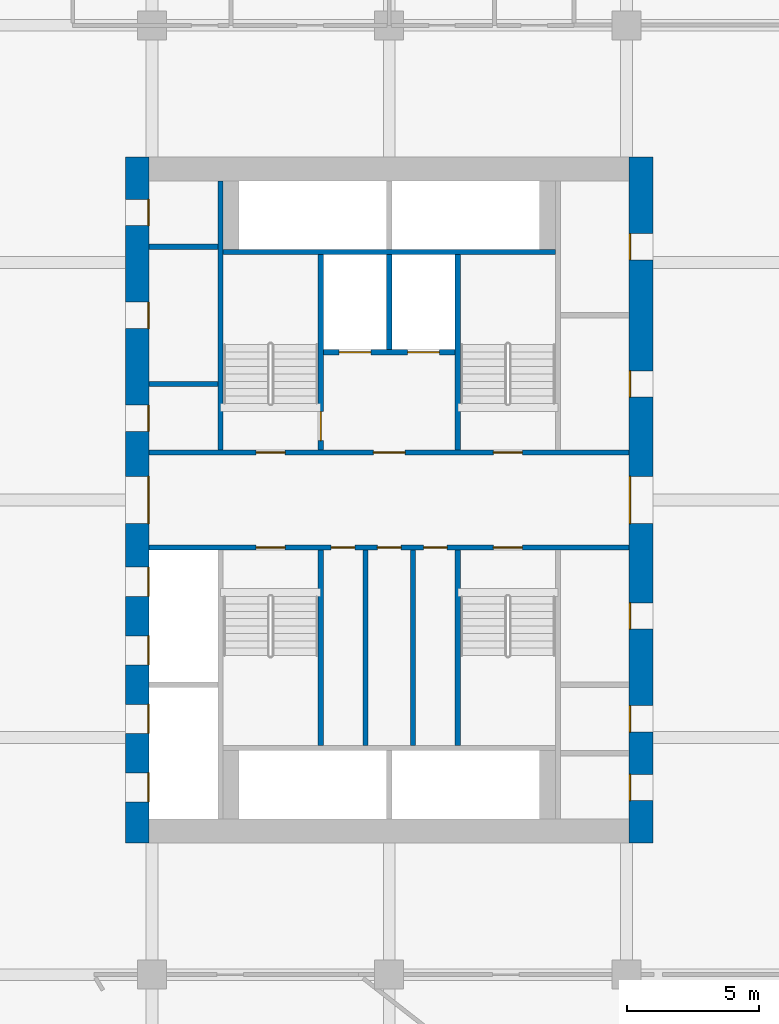
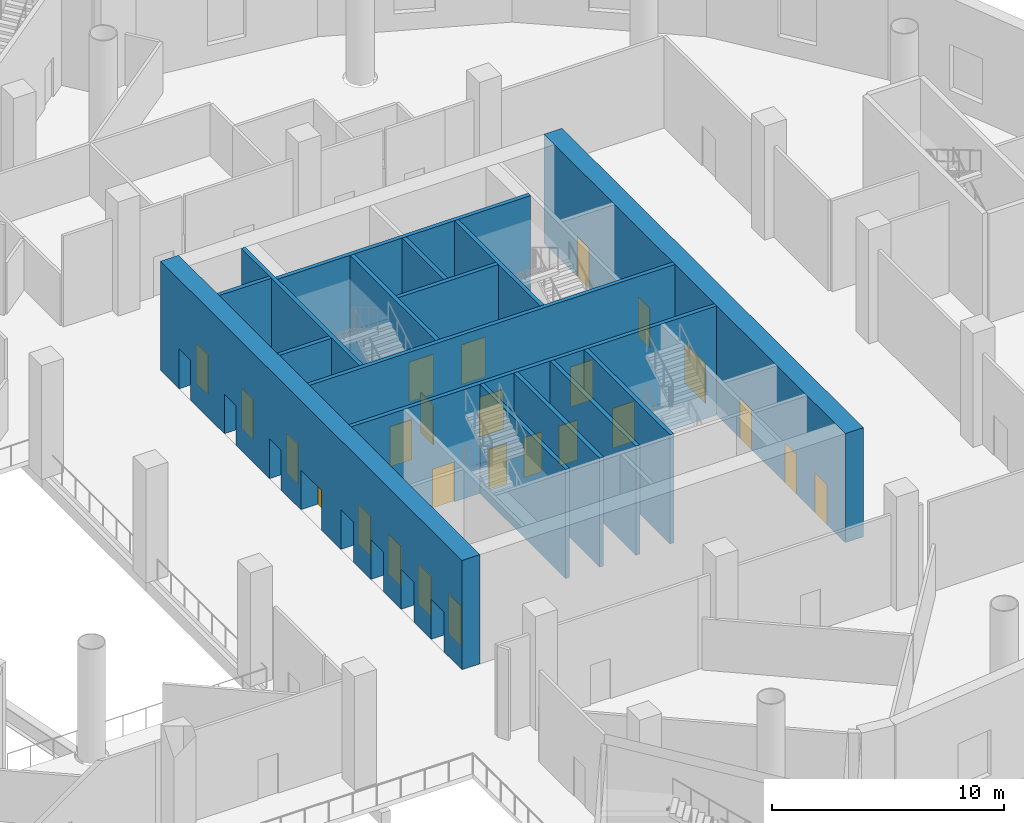
# One storey, part 6 of 24: 25 doors, 16 walls, 25 openings.
"""IFC4 building model written with IfcOpenShell, lengths in metres."""

from ifc_helpers import new_model, si_unit, direction, frame, frame_2d, origin, place, context, subcontext, project, spatial, rectangle, extrude, material, layer, layer_set, type_object, element, fill, save


model = new_model("IFC4")

# Units and contexts
model_context = context("Model", 3, precision=1e-05, world=origin(), true_north=direction((0.0, 1.0)))
body_context = subcontext(model_context, "Body", "Model", "MODEL_VIEW")
ifc_project = project(units=[si_unit("LENGTHUNIT", "METRE"), si_unit("AREAUNIT", "SQUARE_METRE"), si_unit("VOLUMEUNIT", "CUBIC_METRE"), si_unit("PLANEANGLEUNIT", "RADIAN"), si_unit("MASSUNIT", "GRAM", prefix="KILO")], contexts=[model_context])

# Site, building, storey
site_placement = place(None, origin())
site = spatial("IfcSite", under=ifc_project, at=site_placement, CompositionType="ELEMENT")
building_placement = place(site_placement, origin())
building = spatial("IfcBuilding", under=site, at=building_placement, Name="Tarsis Ring Headquarters", CompositionType="ELEMENT")
storey_placement = place(building_placement, frame((0.0, 0.0, 8.0)))
storey = spatial("IfcBuildingStorey", under=building, at=storey_placement, Name="L01", CompositionType="ELEMENT", Elevation=8.0)

# Walls
ifc_material_1 = material(Name="Blockwork", Category="masonry")
ifc_layer_1 = layer(ifc_material_1, 0.199951171875)
ifc_layer_set_1 = layer_set([ifc_layer_1], Name="Core blockwork wall 200")
wall_type_1 = type_object("IfcWallType", Name="Core blockwork wall 200", PredefinedType="PARTITIONING", material=ifc_layer_set_1)
for number, where, z_axis, x_axis, name in (
    (1, (-9.10009765625, 4.39990234375, 0.0), (0.0, 0.0, 1.0), (1.0, 0.0, 0.0), "Core partition WD5"),
    (2, (-9.10009765625, 9.60009765625, 0.0), (0.0, 0.0, 1.0), (1.0, 0.0, 0.0), "Core partition WD7"),
):
    element("IfcWall", number, at=place(storey_placement, frame(where, z_axis=z_axis, x_axis=x_axis)), inside=storey, type_object=wall_type_1, Name=name, PredefinedType="PARTITIONING", context=body_context, shape_type="SweptSolid", body=[
        extrude(rectangle(XDim=2.60009765625, YDim=0.199951171875, at=frame_2d((1.300048828125, 0.0))), origin(), (0.0, 0.0, 1.0), 5.75),
    ])
for number, where, z_axis, x_axis, name in (
    (3, (-0.89990234375, -9.300048828125, 0.0), (0.0, 0.0, 1.0), (0.0, 1.0, 0.0), "Core partition SV1"),
    (4, (0.89990234375, -9.300048828125, 0.0), (0.0, 0.0, 1.0), (0.0, 1.0, 0.0), "Core partition SV2"),
):
    element("IfcWall", number, at=place(storey_placement, frame(where, z_axis=z_axis, x_axis=x_axis)), inside=storey, type_object=wall_type_1, Name=name, PredefinedType="PARTITIONING", context=body_context, shape_type="SweptSolid", body=[
        extrude(rectangle(XDim=7.400146484375, YDim=0.199951171875, at=frame_2d((3.7001953125, 0.0))), origin(), (0.0, 0.0, 1.0), 5.75),
    ])

# Wall, openings, doors
ifc_material_2 = material(Name="Concrete C60/75", Category="concrete")
ifc_layer_2 = layer(ifc_material_2, 0.89990234375)
ifc_layer_set_2 = layer_set([ifc_layer_2], Name="Core wall 900 C60/75")
wall_type_2 = type_object("IfcWallType", Name="Core wall 900 C60/75", PredefinedType="SHEAR", material=ifc_layer_set_2)
wall_1_placement = place(storey_placement, frame((-9.550048828125, -13.0, 0.0), z_axis=(0.0, 0.0, 1.0), x_axis=(0.0, 1.0, 0.0)))
wall_1 = element("IfcWall", 5, at=wall_1_placement, inside=storey, type_object=wall_type_2, Name="Core wall OW", PredefinedType="SHEAR", context=body_context, shape_type="SweptSolid", body=[
    extrude(rectangle(XDim=26.0, YDim=0.89990234375, at=frame_2d((13.0, 0.0))), origin(), (0.0, 0.0, 1.0), 5.75),
])
opening_1_placement = place(wall_1_placement, frame((1.550048828125, 0.0, 0.0)))
opening_1 = element("IfcOpeningElement", 6, at=opening_1_placement, cuts=wall_1, Name="Opening LD-LR1", PredefinedType="OPENING", context=body_context, shape_type="SweptSolid", body=[
    extrude(rectangle(XDim=1.10009765625, YDim=2.10009765625, at=frame_2d((0.550048828125, 1.050048828125))), frame((0.0, 0.4599609375, 0.0), z_axis=(0.0, -1.0, 0.0), x_axis=(1.0, 0.0, 0.0)), (0.0, 0.0, 1.0), 0.919921875),
])
opening_2_placement = place(wall_1_placement, frame((4.14990234375, 0.0, 0.0)))
opening_2 = element("IfcOpeningElement", 7, at=opening_2_placement, cuts=wall_1, Name="Opening LD-LR2", PredefinedType="OPENING", context=body_context, shape_type="SweptSolid", body=[
    extrude(rectangle(XDim=1.10009765625, YDim=2.10009765625, at=frame_2d((0.550048828125, 1.050048828125))), frame((0.0, 0.4599609375, 0.0), z_axis=(0.0, -1.0, 0.0), x_axis=(1.0, 0.0, 0.0)), (0.0, 0.0, 1.0), 0.919921875),
])
opening_3_placement = place(wall_1_placement, frame((6.75, 0.0, 0.0)))
opening_3 = element("IfcOpeningElement", 8, at=opening_3_placement, cuts=wall_1, Name="Opening LD-LR3", PredefinedType="OPENING", context=body_context, shape_type="SweptSolid", body=[
    extrude(rectangle(XDim=1.10009765625, YDim=2.10009765625, at=frame_2d((0.550048828125, 1.050048828125))), frame((0.0, 0.4599609375, 0.0), z_axis=(0.0, -1.0, 0.0), x_axis=(1.0, 0.0, 0.0)), (0.0, 0.0, 1.0), 0.919921875),
])
opening_4_placement = place(wall_1_placement, frame((9.35009765625, 0.0, 0.0)))
opening_4 = element("IfcOpeningElement", 9, at=opening_4_placement, cuts=wall_1, Name="Opening LD-LR4", PredefinedType="OPENING", context=body_context, shape_type="SweptSolid", body=[
    extrude(rectangle(XDim=1.10009765625, YDim=2.10009765625, at=frame_2d((0.550048828125, 1.050048828125))), frame((0.0, 0.4599609375, 0.0), z_axis=(0.0, -1.0, 0.0), x_axis=(1.0, 0.0, 0.0)), (0.0, 0.0, 1.0), 0.919921875),
])
opening_5_placement = place(wall_1_placement, frame((12.10009765625, 0.0, 0.0)))
opening_5 = element("IfcOpeningElement", 10, at=opening_5_placement, cuts=wall_1, Name="Opening L01-C05", PredefinedType="OPENING", context=body_context, shape_type="SweptSolid", body=[
    extrude(rectangle(XDim=1.800048828125, YDim=2.10009765625, at=frame_2d((0.89990234375, 1.050048828125))), frame((0.0, 0.4599609375, 0.0), z_axis=(0.0, -1.0, 0.0), x_axis=(1.0, 0.0, 0.0)), (0.0, 0.0, 1.0), 0.919921875),
])
opening_6_placement = place(wall_1_placement, frame((15.60009765625, 0.0, 0.0)))
opening_6 = element("IfcOpeningElement", 11, at=opening_6_placement, cuts=wall_1, Name="Opening L01-C06", PredefinedType="OPENING", context=body_context, shape_type="SweptSolid", body=[
    extrude(rectangle(XDim=1.0, YDim=2.10009765625, at=frame_2d((0.5, 1.050048828125))), frame((0.0, 0.4599609375, 0.0), z_axis=(0.0, -1.0, 0.0), x_axis=(1.0, 0.0, 0.0)), (0.0, 0.0, 1.0), 0.919921875),
])
opening_7_placement = place(wall_1_placement, frame((19.5, 0.0, 0.0)))
opening_7 = element("IfcOpeningElement", 12, at=opening_7_placement, cuts=wall_1, Name="Opening L01-C07", PredefinedType="OPENING", context=body_context, shape_type="SweptSolid", body=[
    extrude(rectangle(XDim=1.0, YDim=2.10009765625, at=frame_2d((0.5, 1.050048828125))), frame((0.0, 0.4599609375, 0.0), z_axis=(0.0, -1.0, 0.0), x_axis=(1.0, 0.0, 0.0)), (0.0, 0.0, 1.0), 0.919921875),
])
opening_8_placement = place(wall_1_placement, frame((23.39990234375, 0.0, 0.0)))
opening_8 = element("IfcOpeningElement", 13, at=opening_8_placement, cuts=wall_1, Name="Opening L01-C08", PredefinedType="OPENING", context=body_context, shape_type="SweptSolid", body=[
    extrude(rectangle(XDim=1.0, YDim=2.10009765625, at=frame_2d((0.5, 1.050048828125))), frame((0.0, 0.4599609375, 0.0), z_axis=(0.0, -1.0, 0.0), x_axis=(1.0, 0.0, 0.0)), (0.0, 0.0, 1.0), 0.919921875),
])
ifc_material_3 = material(Name="Steel S355", Category="steel")
door_type_1 = type_object("IfcDoorType", Name="Core entry door 1800x2100", OperationType="DOUBLE_DOOR_SINGLE_SWING", PredefinedType="DOOR", material=ifc_material_3)
door_1_placement = place(opening_5_placement, origin())
door_1 = element("IfcDoor", 14, at=door_1_placement, inside=storey, type_object=door_type_1, Name="Core entry door L01", OperationType="DOUBLE_DOOR_SINGLE_SWING", OverallHeight=2.10009765625, OverallWidth=1.800048828125, PredefinedType="DOOR", context=body_context, shape_type="SweptSolid", body=[
    extrude(rectangle(XDim=1.800048828125, YDim=2.10009765625, at=frame_2d((0.89990234375, 1.050048828125))), frame((0.0, -0.39990234375, 0.0), z_axis=(0.0, -1.0, 0.0), x_axis=(1.0, 0.0, 0.0)), (0.0, 0.0, 1.0), 0.050048828125),
])
fill(opening_5, door_1)
door_type_2 = type_object("IfcDoorType", Name="Core room door 1000x2100", OperationType="SINGLE_SWING_LEFT", PredefinedType="DOOR", material=ifc_material_3)
door_2_placement = place(opening_6_placement, origin())
door_2 = element("IfcDoor", 15, at=door_2_placement, inside=storey, type_object=door_type_2, Name="Core room door L01", OperationType="SINGLE_SWING_LEFT", OverallHeight=2.10009765625, OverallWidth=1.0, PredefinedType="DOOR", context=body_context, shape_type="SweptSolid", body=[
    extrude(rectangle(XDim=1.0, YDim=2.10009765625, at=frame_2d((0.5, 1.050048828125))), frame((0.0, -0.39990234375, 0.0), z_axis=(0.0, -1.0, 0.0), x_axis=(1.0, 0.0, 0.0)), (0.0, 0.0, 1.0), 0.050048828125),
])
fill(opening_6, door_2)
door_3_placement = place(opening_7_placement, origin())
door_3 = element("IfcDoor", 16, at=door_3_placement, inside=storey, type_object=door_type_2, Name="Core room door L01", OperationType="SINGLE_SWING_LEFT", OverallHeight=2.10009765625, OverallWidth=1.0, PredefinedType="DOOR", context=body_context, shape_type="SweptSolid", body=[
    extrude(rectangle(XDim=1.0, YDim=2.10009765625, at=frame_2d((0.5, 1.050048828125))), frame((0.0, -0.39990234375, 0.0), z_axis=(0.0, -1.0, 0.0), x_axis=(1.0, 0.0, 0.0)), (0.0, 0.0, 1.0), 0.050048828125),
])
fill(opening_7, door_3)
door_4_placement = place(opening_8_placement, origin())
door_4 = element("IfcDoor", 17, at=door_4_placement, inside=storey, type_object=door_type_2, Name="Core room door L01", OperationType="SINGLE_SWING_LEFT", OverallHeight=2.10009765625, OverallWidth=1.0, PredefinedType="DOOR", context=body_context, shape_type="SweptSolid", body=[
    extrude(rectangle(XDim=1.0, YDim=2.10009765625, at=frame_2d((0.5, 1.050048828125))), frame((0.0, -0.39990234375, 0.0), z_axis=(0.0, -1.0, 0.0), x_axis=(1.0, 0.0, 0.0)), (0.0, 0.0, 1.0), 0.050048828125),
])
fill(opening_8, door_4)
door_type_3 = type_object("IfcDoorType", Name="Landing door 1100x2100", OperationType="SLIDING_TO_LEFT", PredefinedType="DOOR", material=ifc_material_3)
door_5_placement = place(opening_1_placement, origin())
door_5 = element("IfcDoor", 18, at=door_5_placement, inside=storey, type_object=door_type_3, Name="Landing door LR1 L01", OperationType="SLIDING_TO_LEFT", OverallHeight=2.10009765625, OverallWidth=1.10009765625, PredefinedType="DOOR", context=body_context, shape_type="SweptSolid", body=[
    extrude(rectangle(XDim=1.10009765625, YDim=2.10009765625, at=frame_2d((0.550048828125, 1.050048828125))), frame((0.0, -0.39990234375, 0.0), z_axis=(0.0, -1.0, 0.0), x_axis=(1.0, 0.0, 0.0)), (0.0, 0.0, 1.0), 0.050048828125),
])
fill(opening_1, door_5)
door_6_placement = place(opening_2_placement, origin())
door_6 = element("IfcDoor", 19, at=door_6_placement, inside=storey, type_object=door_type_3, Name="Landing door LR2 L01", OperationType="SLIDING_TO_LEFT", OverallHeight=2.10009765625, OverallWidth=1.10009765625, PredefinedType="DOOR", context=body_context, shape_type="SweptSolid", body=[
    extrude(rectangle(XDim=1.10009765625, YDim=2.10009765625, at=frame_2d((0.550048828125, 1.050048828125))), frame((0.0, -0.39990234375, 0.0), z_axis=(0.0, -1.0, 0.0), x_axis=(1.0, 0.0, 0.0)), (0.0, 0.0, 1.0), 0.050048828125),
])
fill(opening_2, door_6)
door_7_placement = place(opening_3_placement, origin())
door_7 = element("IfcDoor", 20, at=door_7_placement, inside=storey, type_object=door_type_3, Name="Landing door LR3 L01", OperationType="SLIDING_TO_LEFT", OverallHeight=2.10009765625, OverallWidth=1.10009765625, PredefinedType="DOOR", context=body_context, shape_type="SweptSolid", body=[
    extrude(rectangle(XDim=1.10009765625, YDim=2.10009765625, at=frame_2d((0.550048828125, 1.050048828125))), frame((0.0, -0.39990234375, 0.0), z_axis=(0.0, -1.0, 0.0), x_axis=(1.0, 0.0, 0.0)), (0.0, 0.0, 1.0), 0.050048828125),
])
fill(opening_3, door_7)
door_8_placement = place(opening_4_placement, origin())
door_8 = element("IfcDoor", 21, at=door_8_placement, inside=storey, type_object=door_type_3, Name="Landing door LR4 L01", OperationType="SLIDING_TO_LEFT", OverallHeight=2.10009765625, OverallWidth=1.10009765625, PredefinedType="DOOR", context=body_context, shape_type="SweptSolid", body=[
    extrude(rectangle(XDim=1.10009765625, YDim=2.10009765625, at=frame_2d((0.550048828125, 1.050048828125))), frame((0.0, -0.39990234375, 0.0), z_axis=(0.0, -1.0, 0.0), x_axis=(1.0, 0.0, 0.0)), (0.0, 0.0, 1.0), 0.050048828125),
])
fill(opening_4, door_8)

wall_2_placement = place(storey_placement, frame((9.550048828125, -13.0, 0.0), z_axis=(0.0, 0.0, 1.0), x_axis=(0.0, 1.0, 0.0)))
wall_2 = element("IfcWall", 22, at=wall_2_placement, inside=storey, type_object=wall_type_2, Name="Core wall OE", PredefinedType="SHEAR", context=body_context, shape_type="SweptSolid", body=[
    extrude(rectangle(XDim=26.0, YDim=0.89990234375, at=frame_2d((13.0, 0.0))), origin(), (0.0, 0.0, 1.0), 5.75),
])
opening_9_placement = place(wall_2_placement, frame((1.60009765625, 0.0, 0.0)))
opening_9 = element("IfcOpeningElement", 23, at=opening_9_placement, cuts=wall_2, Name="Opening L01-C09", PredefinedType="OPENING", context=body_context, shape_type="SweptSolid", body=[
    extrude(rectangle(XDim=1.0, YDim=2.10009765625, at=frame_2d((0.5, 1.050048828125))), frame((0.0, 0.4599609375, 0.0), z_axis=(0.0, -1.0, 0.0), x_axis=(1.0, 0.0, 0.0)), (0.0, 0.0, 1.0), 0.919921875),
])
opening_10_placement = place(wall_2_placement, frame((4.199951171875, 0.0, 0.0)))
opening_10 = element("IfcOpeningElement", 24, at=opening_10_placement, cuts=wall_2, Name="Opening L01-C10", PredefinedType="OPENING", context=body_context, shape_type="SweptSolid", body=[
    extrude(rectangle(XDim=1.0, YDim=2.10009765625, at=frame_2d((0.5, 1.050048828125))), frame((0.0, 0.4599609375, 0.0), z_axis=(0.0, -1.0, 0.0), x_axis=(1.0, 0.0, 0.0)), (0.0, 0.0, 1.0), 0.919921875),
])
opening_11_placement = place(wall_2_placement, frame((8.10009765625, 0.0, 0.0)))
opening_11 = element("IfcOpeningElement", 25, at=opening_11_placement, cuts=wall_2, Name="Opening L01-C11", PredefinedType="OPENING", context=body_context, shape_type="SweptSolid", body=[
    extrude(rectangle(XDim=1.0, YDim=2.10009765625, at=frame_2d((0.5, 1.050048828125))), frame((0.0, 0.4599609375, 0.0), z_axis=(0.0, -1.0, 0.0), x_axis=(1.0, 0.0, 0.0)), (0.0, 0.0, 1.0), 0.919921875),
])
opening_12_placement = place(wall_2_placement, frame((12.10009765625, 0.0, 0.0)))
opening_12 = element("IfcOpeningElement", 26, at=opening_12_placement, cuts=wall_2, Name="Opening L01-C12", PredefinedType="OPENING", context=body_context, shape_type="SweptSolid", body=[
    extrude(rectangle(XDim=1.800048828125, YDim=2.10009765625, at=frame_2d((0.89990234375, 1.050048828125))), frame((0.0, 0.4599609375, 0.0), z_axis=(0.0, -1.0, 0.0), x_axis=(1.0, 0.0, 0.0)), (0.0, 0.0, 1.0), 0.919921875),
])
opening_13_placement = place(wall_2_placement, frame((16.89990234375, 0.0, 0.0)))
opening_13 = element("IfcOpeningElement", 27, at=opening_13_placement, cuts=wall_2, Name="Opening L01-C13", PredefinedType="OPENING", context=body_context, shape_type="SweptSolid", body=[
    extrude(rectangle(XDim=1.0, YDim=2.10009765625, at=frame_2d((0.5, 1.050048828125))), frame((0.0, 0.4599609375, 0.0), z_axis=(0.0, -1.0, 0.0), x_axis=(1.0, 0.0, 0.0)), (0.0, 0.0, 1.0), 0.919921875),
])
opening_14_placement = place(wall_2_placement, frame((22.10009765625, 0.0, 0.0)))
opening_14 = element("IfcOpeningElement", 28, at=opening_14_placement, cuts=wall_2, Name="Opening L01-C14", PredefinedType="OPENING", context=body_context, shape_type="SweptSolid", body=[
    extrude(rectangle(XDim=1.0, YDim=2.10009765625, at=frame_2d((0.5, 1.050048828125))), frame((0.0, 0.4599609375, 0.0), z_axis=(0.0, -1.0, 0.0), x_axis=(1.0, 0.0, 0.0)), (0.0, 0.0, 1.0), 0.919921875),
])
door_9_placement = place(opening_12_placement, origin())
door_9 = element("IfcDoor", 29, at=door_9_placement, inside=storey, type_object=door_type_1, Name="Core entry door L01", OperationType="DOUBLE_DOOR_SINGLE_SWING", OverallHeight=2.10009765625, OverallWidth=1.800048828125, PredefinedType="DOOR", context=body_context, shape_type="SweptSolid", body=[
    extrude(rectangle(XDim=1.800048828125, YDim=2.10009765625, at=frame_2d((0.89990234375, 1.050048828125))), frame((0.0, 0.4501953125, 0.0), z_axis=(0.0, -1.0, 0.0), x_axis=(1.0, 0.0, 0.0)), (0.0, 0.0, 1.0), 0.050048828125),
])
fill(opening_12, door_9)
door_10_placement = place(opening_9_placement, origin())
door_10 = element("IfcDoor", 30, at=door_10_placement, inside=storey, type_object=door_type_2, Name="Core room door L01", OperationType="SINGLE_SWING_LEFT", OverallHeight=2.10009765625, OverallWidth=1.0, PredefinedType="DOOR", context=body_context, shape_type="SweptSolid", body=[
    extrude(rectangle(XDim=1.0, YDim=2.10009765625, at=frame_2d((0.5, 1.050048828125))), frame((0.0, 0.4501953125, 0.0), z_axis=(0.0, -1.0, 0.0), x_axis=(1.0, 0.0, 0.0)), (0.0, 0.0, 1.0), 0.050048828125),
])
fill(opening_9, door_10)
door_11_placement = place(opening_10_placement, origin())
door_11 = element("IfcDoor", 31, at=door_11_placement, inside=storey, type_object=door_type_2, Name="Core room door L01", OperationType="SINGLE_SWING_LEFT", OverallHeight=2.10009765625, OverallWidth=1.0, PredefinedType="DOOR", context=body_context, shape_type="SweptSolid", body=[
    extrude(rectangle(XDim=1.0, YDim=2.10009765625, at=frame_2d((0.5, 1.050048828125))), frame((0.0, 0.4501953125, 0.0), z_axis=(0.0, -1.0, 0.0), x_axis=(1.0, 0.0, 0.0)), (0.0, 0.0, 1.0), 0.050048828125),
])
fill(opening_10, door_11)
door_12_placement = place(opening_11_placement, origin())
door_12 = element("IfcDoor", 32, at=door_12_placement, inside=storey, type_object=door_type_2, Name="Core room door L01", OperationType="SINGLE_SWING_LEFT", OverallHeight=2.10009765625, OverallWidth=1.0, PredefinedType="DOOR", context=body_context, shape_type="SweptSolid", body=[
    extrude(rectangle(XDim=1.0, YDim=2.10009765625, at=frame_2d((0.5, 1.050048828125))), frame((0.0, 0.4501953125, 0.0), z_axis=(0.0, -1.0, 0.0), x_axis=(1.0, 0.0, 0.0)), (0.0, 0.0, 1.0), 0.050048828125),
])
fill(opening_11, door_12)
door_13_placement = place(opening_13_placement, origin())
door_13 = element("IfcDoor", 33, at=door_13_placement, inside=storey, type_object=door_type_2, Name="Core room door L01", OperationType="SINGLE_SWING_LEFT", OverallHeight=2.10009765625, OverallWidth=1.0, PredefinedType="DOOR", context=body_context, shape_type="SweptSolid", body=[
    extrude(rectangle(XDim=1.0, YDim=2.10009765625, at=frame_2d((0.5, 1.050048828125))), frame((0.0, 0.4501953125, 0.0), z_axis=(0.0, -1.0, 0.0), x_axis=(1.0, 0.0, 0.0)), (0.0, 0.0, 1.0), 0.050048828125),
])
fill(opening_13, door_13)
door_14_placement = place(opening_14_placement, origin())
door_14 = element("IfcDoor", 34, at=door_14_placement, inside=storey, type_object=door_type_2, Name="Core room door L01", OperationType="SINGLE_SWING_LEFT", OverallHeight=2.10009765625, OverallWidth=1.0, PredefinedType="DOOR", context=body_context, shape_type="SweptSolid", body=[
    extrude(rectangle(XDim=1.0, YDim=2.10009765625, at=frame_2d((0.5, 1.050048828125))), frame((0.0, 0.4501953125, 0.0), z_axis=(0.0, -1.0, 0.0), x_axis=(1.0, 0.0, 0.0)), (0.0, 0.0, 1.0), 0.050048828125),
])
fill(opening_14, door_14)

ifc_material_4 = material(Name="Concrete C32/40", Category="concrete")
ifc_layer_3 = layer(ifc_material_4, 0.199951171875)
ifc_layer_set_3 = layer_set([ifc_layer_3], Name="Shaft wall 200 C32/40")
wall_type_3 = type_object("IfcWallType", Name="Shaft wall 200 C32/40", PredefinedType="SOLIDWALL", material=ifc_layer_set_3)
wall_3_placement = place(storey_placement, frame((-9.10009765625, 1.800048828125, 0.0), z_axis=(0.0, 0.0, 1.0), x_axis=(1.0, 0.0, 0.0)))
wall_3 = element("IfcWall", 35, at=wall_3_placement, inside=storey, type_object=wall_type_3, Name="Core shaft wall CN", PredefinedType="SOLIDWALL", context=body_context, shape_type="SweptSolid", body=[
    extrude(rectangle(XDim=18.2001953125, YDim=0.199951171875, at=frame_2d((9.10009765625, 0.0))), origin(), (0.0, 0.0, 1.0), 5.75),
])
opening_15_placement = place(wall_3_placement, frame((4.050048828125, 0.0, 0.0)))
opening_15 = element("IfcOpeningElement", 36, at=opening_15_placement, cuts=wall_3, Name="Opening L01-C15", PredefinedType="OPENING", context=body_context, shape_type="SweptSolid", body=[
    extrude(rectangle(XDim=1.10009765625, YDim=2.10009765625, at=frame_2d((0.550048828125, 1.050048828125))), frame((0.0, 0.10986328125, 0.0), z_axis=(0.0, -1.0, 0.0), x_axis=(1.0, 0.0, 0.0)), (0.0, 0.0, 1.0), 0.219970703125),
])
opening_16_placement = place(wall_3_placement, frame((8.5, 0.0, 0.0)))
opening_16 = element("IfcOpeningElement", 37, at=opening_16_placement, cuts=wall_3, Name="Opening L01-C16", PredefinedType="OPENING", context=body_context, shape_type="SweptSolid", body=[
    extrude(rectangle(XDim=1.199951171875, YDim=2.10009765625, at=frame_2d((0.60009765625, 1.050048828125))), frame((0.0, 0.10986328125, 0.0), z_axis=(0.0, -1.0, 0.0), x_axis=(1.0, 0.0, 0.0)), (0.0, 0.0, 1.0), 0.219970703125),
])
opening_17_placement = place(wall_3_placement, frame((13.050048828125, 0.0, 0.0)))
opening_17 = element("IfcOpeningElement", 38, at=opening_17_placement, cuts=wall_3, Name="Opening L01-C17", PredefinedType="OPENING", context=body_context, shape_type="SweptSolid", body=[
    extrude(rectangle(XDim=1.10009765625, YDim=2.10009765625, at=frame_2d((0.550048828125, 1.050048828125))), frame((0.0, 0.10986328125, 0.0), z_axis=(0.0, -1.0, 0.0), x_axis=(1.0, 0.0, 0.0)), (0.0, 0.0, 1.0), 0.219970703125),
])
door_type_4 = type_object("IfcDoorType", Name="Firefighting lobby door 1200x2100", OperationType="DOUBLE_DOOR_SINGLE_SWING", PredefinedType="DOOR", material=ifc_material_3)
door_15_placement = place(opening_16_placement, origin())
door_15 = element("IfcDoor", 39, at=door_15_placement, inside=storey, type_object=door_type_4, Name="Firefighting lobby door L01", OperationType="DOUBLE_DOOR_SINGLE_SWING", OverallHeight=2.10009765625, OverallWidth=1.199951171875, PredefinedType="DOOR", context=body_context, shape_type="SweptSolid", body=[
    extrude(rectangle(XDim=1.199951171875, YDim=2.10009765625, at=frame_2d((0.60009765625, 1.050048828125))), frame((0.0, 0.02490234375, 0.0), z_axis=(0.0, -1.0, 0.0), x_axis=(1.0, 0.0, 0.0)), (0.0, 0.0, 1.0), 0.050048828125),
])
fill(opening_16, door_15)
door_type_5 = type_object("IfcDoorType", Name="Stair door 1100x2100", OperationType="SINGLE_SWING_LEFT", PredefinedType="DOOR", material=ifc_material_3)
door_16_placement = place(opening_15_placement, origin())
door_16 = element("IfcDoor", 40, at=door_16_placement, inside=storey, type_object=door_type_5, Name="Stair door L01", OperationType="SINGLE_SWING_LEFT", OverallHeight=2.10009765625, OverallWidth=1.10009765625, PredefinedType="DOOR", context=body_context, shape_type="SweptSolid", body=[
    extrude(rectangle(XDim=1.10009765625, YDim=2.10009765625, at=frame_2d((0.550048828125, 1.050048828125))), frame((0.0, 0.02490234375, 0.0), z_axis=(0.0, -1.0, 0.0), x_axis=(1.0, 0.0, 0.0)), (0.0, 0.0, 1.0), 0.050048828125),
])
fill(opening_15, door_16)
door_17_placement = place(opening_17_placement, origin())
door_17 = element("IfcDoor", 41, at=door_17_placement, inside=storey, type_object=door_type_5, Name="Stair door L01", OperationType="SINGLE_SWING_LEFT", OverallHeight=2.10009765625, OverallWidth=1.10009765625, PredefinedType="DOOR", context=body_context, shape_type="SweptSolid", body=[
    extrude(rectangle(XDim=1.10009765625, YDim=2.10009765625, at=frame_2d((0.550048828125, 1.050048828125))), frame((0.0, 0.02490234375, 0.0), z_axis=(0.0, -1.0, 0.0), x_axis=(1.0, 0.0, 0.0)), (0.0, 0.0, 1.0), 0.050048828125),
])
fill(opening_17, door_17)

wall_4_placement = place(storey_placement, frame((-9.10009765625, -1.800048828125, 0.0), z_axis=(0.0, 0.0, 1.0), x_axis=(1.0, 0.0, 0.0)))
wall_4 = element("IfcWall", 42, at=wall_4_placement, inside=storey, type_object=wall_type_3, Name="Core shaft wall CS", PredefinedType="SOLIDWALL", context=body_context, shape_type="SweptSolid", body=[
    extrude(rectangle(XDim=18.2001953125, YDim=0.199951171875, at=frame_2d((9.10009765625, 0.0))), origin(), (0.0, 0.0, 1.0), 5.75),
])
opening_18_placement = place(wall_4_placement, frame((4.050048828125, 0.0, 0.0)))
opening_18 = element("IfcOpeningElement", 43, at=opening_18_placement, cuts=wall_4, Name="Opening L01-C18", PredefinedType="OPENING", context=body_context, shape_type="SweptSolid", body=[
    extrude(rectangle(XDim=1.10009765625, YDim=2.10009765625, at=frame_2d((0.550048828125, 1.050048828125))), frame((0.0, 0.10986328125, 0.0), z_axis=(0.0, -1.0, 0.0), x_axis=(1.0, 0.0, 0.0)), (0.0, 0.0, 1.0), 0.219970703125),
])
opening_19_placement = place(wall_4_placement, frame((6.89990234375, 0.0, 0.0)))
opening_19 = element("IfcOpeningElement", 44, at=opening_19_placement, cuts=wall_4, Name="Opening L01-C19", PredefinedType="OPENING", context=body_context, shape_type="SweptSolid", body=[
    extrude(rectangle(XDim=0.89990234375, YDim=2.10009765625, at=frame_2d((0.449951171875, 1.050048828125))), frame((0.0, 0.10986328125, 0.0), z_axis=(0.0, -1.0, 0.0), x_axis=(1.0, 0.0, 0.0)), (0.0, 0.0, 1.0), 0.219970703125),
])
opening_20_placement = place(wall_4_placement, frame((8.64990234375, 0.0, 0.0)))
opening_20 = element("IfcOpeningElement", 45, at=opening_20_placement, cuts=wall_4, Name="Opening L01-C20", PredefinedType="OPENING", context=body_context, shape_type="SweptSolid", body=[
    extrude(rectangle(XDim=0.89990234375, YDim=2.10009765625, at=frame_2d((0.449951171875, 1.050048828125))), frame((0.0, 0.10986328125, 0.0), z_axis=(0.0, -1.0, 0.0), x_axis=(1.0, 0.0, 0.0)), (0.0, 0.0, 1.0), 0.219970703125),
])
opening_21_placement = place(wall_4_placement, frame((10.39990234375, 0.0, 0.0)))
opening_21 = element("IfcOpeningElement", 46, at=opening_21_placement, cuts=wall_4, Name="Opening L01-C21", PredefinedType="OPENING", context=body_context, shape_type="SweptSolid", body=[
    extrude(rectangle(XDim=0.89990234375, YDim=2.10009765625, at=frame_2d((0.449951171875, 1.050048828125))), frame((0.0, 0.10986328125, 0.0), z_axis=(0.0, -1.0, 0.0), x_axis=(1.0, 0.0, 0.0)), (0.0, 0.0, 1.0), 0.219970703125),
])
opening_22_placement = place(wall_4_placement, frame((13.050048828125, 0.0, 0.0)))
opening_22 = element("IfcOpeningElement", 47, at=opening_22_placement, cuts=wall_4, Name="Opening L01-C22", PredefinedType="OPENING", context=body_context, shape_type="SweptSolid", body=[
    extrude(rectangle(XDim=1.10009765625, YDim=2.10009765625, at=frame_2d((0.550048828125, 1.050048828125))), frame((0.0, 0.10986328125, 0.0), z_axis=(0.0, -1.0, 0.0), x_axis=(1.0, 0.0, 0.0)), (0.0, 0.0, 1.0), 0.219970703125),
])
door_18_placement = place(opening_18_placement, origin())
door_18 = element("IfcDoor", 48, at=door_18_placement, inside=storey, type_object=door_type_5, Name="Stair door L01", OperationType="SINGLE_SWING_LEFT", OverallHeight=2.10009765625, OverallWidth=1.10009765625, PredefinedType="DOOR", context=body_context, shape_type="SweptSolid", body=[
    extrude(rectangle(XDim=1.10009765625, YDim=2.10009765625, at=frame_2d((0.550048828125, 1.050048828125))), frame((0.0, 0.02490234375, 0.0), z_axis=(0.0, -1.0, 0.0), x_axis=(1.0, 0.0, 0.0)), (0.0, 0.0, 1.0), 0.050048828125),
])
fill(opening_18, door_18)
door_19_placement = place(opening_22_placement, origin())
door_19 = element("IfcDoor", 49, at=door_19_placement, inside=storey, type_object=door_type_5, Name="Stair door L01", OperationType="SINGLE_SWING_LEFT", OverallHeight=2.10009765625, OverallWidth=1.10009765625, PredefinedType="DOOR", context=body_context, shape_type="SweptSolid", body=[
    extrude(rectangle(XDim=1.10009765625, YDim=2.10009765625, at=frame_2d((0.550048828125, 1.050048828125))), frame((0.0, 0.02490234375, 0.0), z_axis=(0.0, -1.0, 0.0), x_axis=(1.0, 0.0, 0.0)), (0.0, 0.0, 1.0), 0.050048828125),
])
fill(opening_22, door_19)
door_type_6 = type_object("IfcDoorType", Name="WC door 900x2100", OperationType="SINGLE_SWING_LEFT", PredefinedType="DOOR", material=ifc_material_3)
door_20_placement = place(opening_19_placement, origin())
door_20 = element("IfcDoor", 50, at=door_20_placement, inside=storey, type_object=door_type_6, Name="WC door L01", OperationType="SINGLE_SWING_LEFT", OverallHeight=2.10009765625, OverallWidth=0.89990234375, PredefinedType="DOOR", context=body_context, shape_type="SweptSolid", body=[
    extrude(rectangle(XDim=0.89990234375, YDim=2.10009765625, at=frame_2d((0.449951171875, 1.050048828125))), frame((0.0, 0.02490234375, 0.0), z_axis=(0.0, -1.0, 0.0), x_axis=(1.0, 0.0, 0.0)), (0.0, 0.0, 1.0), 0.050048828125),
])
fill(opening_19, door_20)
door_21_placement = place(opening_20_placement, origin())
door_21 = element("IfcDoor", 51, at=door_21_placement, inside=storey, type_object=door_type_6, Name="WC door L01", OperationType="SINGLE_SWING_LEFT", OverallHeight=2.10009765625, OverallWidth=0.89990234375, PredefinedType="DOOR", context=body_context, shape_type="SweptSolid", body=[
    extrude(rectangle(XDim=0.89990234375, YDim=2.10009765625, at=frame_2d((0.449951171875, 1.050048828125))), frame((0.0, 0.02490234375, 0.0), z_axis=(0.0, -1.0, 0.0), x_axis=(1.0, 0.0, 0.0)), (0.0, 0.0, 1.0), 0.050048828125),
])
fill(opening_20, door_21)
door_22_placement = place(opening_21_placement, origin())
door_22 = element("IfcDoor", 52, at=door_22_placement, inside=storey, type_object=door_type_6, Name="WC door L01", OperationType="SINGLE_SWING_LEFT", OverallHeight=2.10009765625, OverallWidth=0.89990234375, PredefinedType="DOOR", context=body_context, shape_type="SweptSolid", body=[
    extrude(rectangle(XDim=0.89990234375, YDim=2.10009765625, at=frame_2d((0.449951171875, 1.050048828125))), frame((0.0, 0.02490234375, 0.0), z_axis=(0.0, -1.0, 0.0), x_axis=(1.0, 0.0, 0.0)), (0.0, 0.0, 1.0), 0.050048828125),
])
fill(opening_21, door_22)

# Walls
wall_5_placement = place(storey_placement, frame((-6.39990234375, 1.89990234375, 0.0), z_axis=(0.0, 0.0, 1.0), x_axis=(0.0, 1.0, 0.0)))
element("IfcWall", 53, at=wall_5_placement, inside=storey, type_object=wall_type_3, Name="Core shaft wall WB2", PredefinedType="SOLIDWALL", context=body_context, shape_type="SweptSolid", body=[
    extrude(rectangle(XDim=10.2001953125, YDim=0.199951171875, at=frame_2d((5.10009765625, 0.0))), origin(), (0.0, 0.0, 1.0), 5.75),
])
wall_6_placement = place(storey_placement, frame((-6.300048828125, 9.39990234375, 0.0), z_axis=(0.0, 0.0, 1.0), x_axis=(1.0, 0.0, 0.0)))
element("IfcWall", 54, at=wall_6_placement, inside=storey, type_object=wall_type_3, Name="Core shaft wall NB", PredefinedType="SOLIDWALL", context=body_context, shape_type="SweptSolid", body=[
    extrude(rectangle(XDim=12.60009765625, YDim=0.199951171875, at=frame_2d((6.300048828125, 0.0))), origin(), (0.0, 0.0, 1.0), 5.75),
])

# Wall, opening, door
wall_7_placement = place(storey_placement, frame((-2.60009765625, 1.89990234375, 0.0), z_axis=(0.0, 0.0, 1.0), x_axis=(0.0, 1.0, 0.0)))
wall_7 = element("IfcWall", 55, at=wall_7_placement, inside=storey, type_object=wall_type_3, Name="Core shaft wall SW1", PredefinedType="SOLIDWALL", context=body_context, shape_type="SweptSolid", body=[
    extrude(rectangle(XDim=7.400146484375, YDim=0.199951171875, at=frame_2d((3.7001953125, 0.0))), origin(), (0.0, 0.0, 1.0), 5.75),
])
opening_23_placement = place(wall_7_placement, frame((0.35009765625, 0.0, 0.0)))
opening_23 = element("IfcOpeningElement", 56, at=opening_23_placement, cuts=wall_7, Name="Opening L01-C23", PredefinedType="OPENING", context=body_context, shape_type="SweptSolid", body=[
    extrude(rectangle(XDim=1.10009765625, YDim=2.10009765625, at=frame_2d((0.550048828125, 1.050048828125))), frame((0.0, 0.10986328125, 0.0), z_axis=(0.0, -1.0, 0.0), x_axis=(1.0, 0.0, 0.0)), (0.0, 0.0, 1.0), 0.219970703125),
])
door_23_placement = place(opening_23_placement, origin())
door_23 = element("IfcDoor", 57, at=door_23_placement, inside=storey, type_object=door_type_5, Name="Stair door L01", OperationType="SINGLE_SWING_LEFT", OverallHeight=2.10009765625, OverallWidth=1.10009765625, PredefinedType="DOOR", context=body_context, shape_type="SweptSolid", body=[
    extrude(rectangle(XDim=1.10009765625, YDim=2.10009765625, at=frame_2d((0.550048828125, 1.050048828125))), frame((0.0, 0.02490234375, 0.0), z_axis=(0.0, -1.0, 0.0), x_axis=(1.0, 0.0, 0.0)), (0.0, 0.0, 1.0), 0.050048828125),
])
fill(opening_23, door_23)

# Walls
for number, where, z_axis, x_axis, name in (
    (58, (2.60009765625, 1.89990234375, 0.0), (0.0, 0.0, 1.0), (0.0, 1.0, 0.0), "Core shaft wall SW2"),
    (59, (-2.60009765625, -9.300048828125, 0.0), (0.0, 0.0, 1.0), (0.0, 1.0, 0.0), "Core shaft wall SW3"),
    (60, (2.60009765625, -9.300048828125, 0.0), (0.0, 0.0, 1.0), (0.0, 1.0, 0.0), "Core shaft wall SW4"),
):
    element("IfcWall", number, at=place(storey_placement, frame(where, z_axis=z_axis, x_axis=x_axis)), inside=storey, type_object=wall_type_3, Name=name, PredefinedType="SOLIDWALL", context=body_context, shape_type="SweptSolid", body=[
        extrude(rectangle(XDim=7.400146484375, YDim=0.199951171875, at=frame_2d((3.7001953125, 0.0))), origin(), (0.0, 0.0, 1.0), 5.75),
    ])

# Wall, openings, doors
wall_8_placement = place(storey_placement, frame((-2.5, 5.60009765625, 0.0), z_axis=(0.0, 0.0, 1.0), x_axis=(1.0, 0.0, 0.0)))
wall_8 = element("IfcWall", 61, at=wall_8_placement, inside=storey, type_object=wall_type_3, Name="Core shaft wall FFN", PredefinedType="SOLIDWALL", context=body_context, shape_type="SweptSolid", body=[
    extrude(rectangle(XDim=5.0, YDim=0.199951171875, at=frame_2d((2.5, 0.0))), origin(), (0.0, 0.0, 1.0), 5.75),
])
opening_24_placement = place(wall_8_placement, frame((0.60009765625, 0.0, 0.0)))
opening_24 = element("IfcOpeningElement", 62, at=opening_24_placement, cuts=wall_8, Name="Opening LDF-1", PredefinedType="OPENING", context=body_context, shape_type="SweptSolid", body=[
    extrude(rectangle(XDim=1.199951171875, YDim=2.10009765625, at=frame_2d((0.60009765625, 1.050048828125))), frame((0.0, 0.10986328125, 0.0), z_axis=(0.0, -1.0, 0.0), x_axis=(1.0, 0.0, 0.0)), (0.0, 0.0, 1.0), 0.219970703125),
])
opening_25_placement = place(wall_8_placement, frame((3.199951171875, 0.0, 0.0)))
opening_25 = element("IfcOpeningElement", 63, at=opening_25_placement, cuts=wall_8, Name="Opening LDF-2", PredefinedType="OPENING", context=body_context, shape_type="SweptSolid", body=[
    extrude(rectangle(XDim=1.199951171875, YDim=2.10009765625, at=frame_2d((0.60009765625, 1.050048828125))), frame((0.0, 0.10986328125, 0.0), z_axis=(0.0, -1.0, 0.0), x_axis=(1.0, 0.0, 0.0)), (0.0, 0.0, 1.0), 0.219970703125),
])
door_type_7 = type_object("IfcDoorType", Name="Firefighting landing door 1200x2100", OperationType="SLIDING_TO_LEFT", PredefinedType="DOOR", material=ifc_material_3)
door_24_placement = place(opening_24_placement, origin())
door_24 = element("IfcDoor", 64, at=door_24_placement, inside=storey, type_object=door_type_7, Name="Landing door FF1 L01", OperationType="SLIDING_TO_LEFT", OverallHeight=2.10009765625, OverallWidth=1.199951171875, PredefinedType="DOOR", context=body_context, shape_type="SweptSolid", body=[
    extrude(rectangle(XDim=1.199951171875, YDim=2.10009765625, at=frame_2d((0.60009765625, 1.050048828125))), frame((0.0, 0.02490234375, 0.0), z_axis=(0.0, -1.0, 0.0), x_axis=(1.0, 0.0, 0.0)), (0.0, 0.0, 1.0), 0.050048828125),
])
fill(opening_24, door_24)
door_25_placement = place(opening_25_placement, origin())
door_25 = element("IfcDoor", 65, at=door_25_placement, inside=storey, type_object=door_type_7, Name="Landing door FF2 L01", OperationType="SLIDING_TO_LEFT", OverallHeight=2.10009765625, OverallWidth=1.199951171875, PredefinedType="DOOR", context=body_context, shape_type="SweptSolid", body=[
    extrude(rectangle(XDim=1.199951171875, YDim=2.10009765625, at=frame_2d((0.60009765625, 1.050048828125))), frame((0.0, 0.02490234375, 0.0), z_axis=(0.0, -1.0, 0.0), x_axis=(1.0, 0.0, 0.0)), (0.0, 0.0, 1.0), 0.050048828125),
])
fill(opening_25, door_25)

# Wall
wall_9_placement = place(storey_placement, frame((0.0, 5.699951171875, 0.0), z_axis=(0.0, 0.0, 1.0), x_axis=(0.0, 1.0, 0.0)))
element("IfcWall", 66, at=wall_9_placement, inside=storey, type_object=wall_type_3, Name="Core shaft wall FFD", PredefinedType="SOLIDWALL", context=body_context, shape_type="SweptSolid", body=[
    extrude(rectangle(XDim=3.60009765625, YDim=0.199951171875, at=frame_2d((1.800048828125, 0.0))), origin(), (0.0, 0.0, 1.0), 5.75),
])

save(model, "model.ifc")
